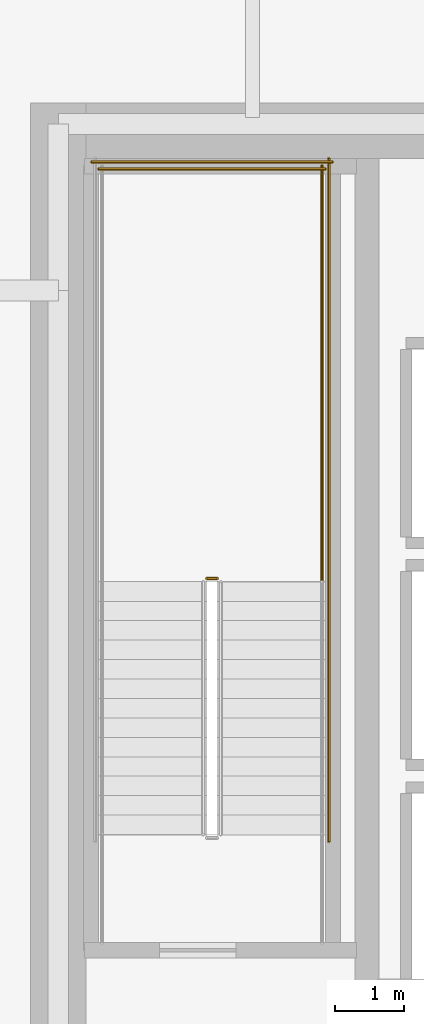
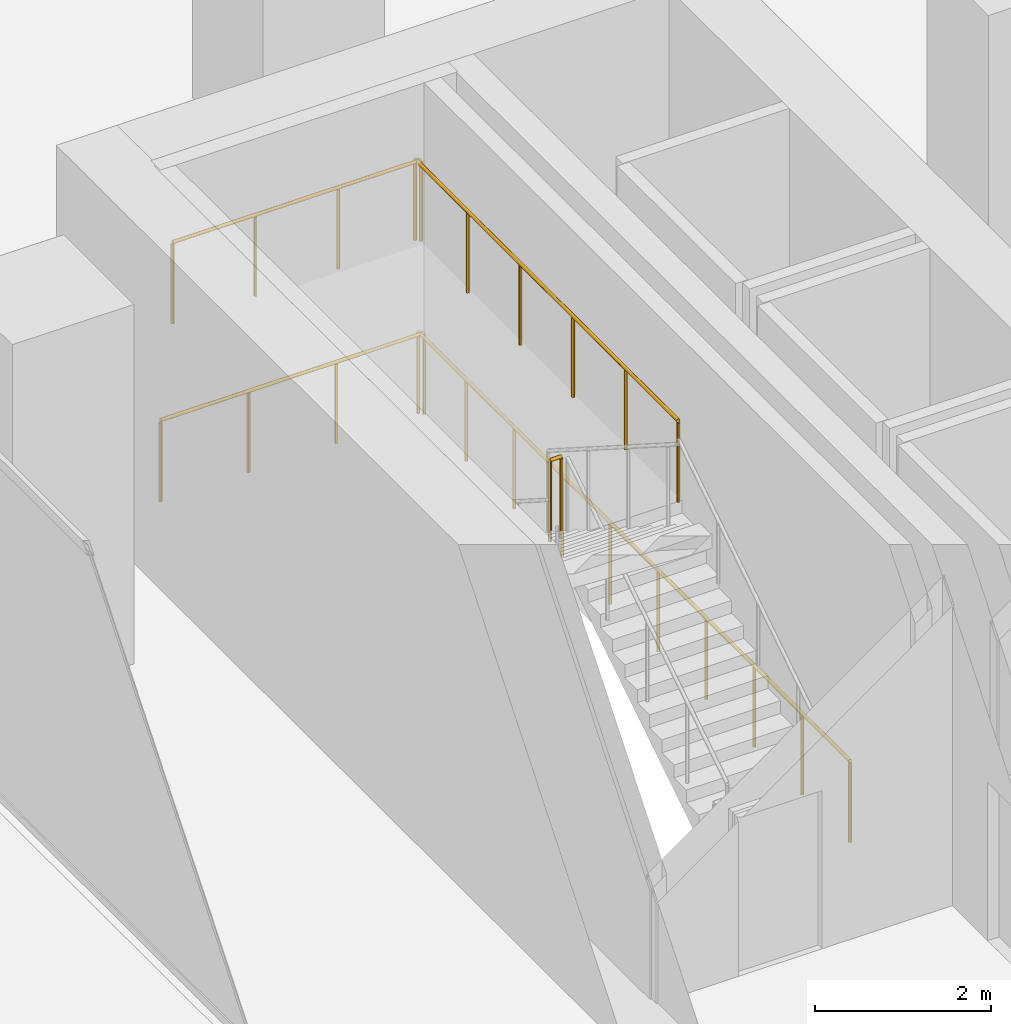
# One storey, part 20 of 21: 5 railings.
"""IFC4 building model written with IfcOpenShell, lengths in metres."""

from ifc_helpers import new_model, si_unit, direction, frame, origin, origin_2d, place, context, subcontext, project, spatial, circle, extrude, material, type_object, element, save


model = new_model("IFC4")

# Units and contexts
model_context = context("Model", 3, precision=1e-05, world=origin(), true_north=direction((0.0, 1.0)))
body_context = subcontext(model_context, "Body", "Model", "MODEL_VIEW")
ifc_project = project(units=[si_unit("LENGTHUNIT", "METRE"), si_unit("AREAUNIT", "SQUARE_METRE"), si_unit("VOLUMEUNIT", "CUBIC_METRE"), si_unit("PLANEANGLEUNIT", "RADIAN"), si_unit("MASSUNIT", "GRAM", prefix="KILO")], contexts=[model_context])

# Site, building, storey
site_placement = place(None, origin())
site = spatial("IfcSite", under=ifc_project, at=site_placement, CompositionType="ELEMENT")
building_placement = place(site_placement, origin())
building = spatial("IfcBuilding", under=site, at=building_placement, Name="Khairoan Windgate Tower", CompositionType="ELEMENT")
storey_placement = place(building_placement, frame((0.0, 0.0, 21.0)))
storey = spatial("IfcBuildingStorey", under=building, at=storey_placement, Name="L05", CompositionType="ELEMENT", Elevation=21.0)

# Railings
ifc_material = material(Name="Steel S355", Category="steel")
railing_type = type_object("IfcRailingType", Name="Stairwell Safety Guardrail SGR-1150", PredefinedType="GUARDRAIL", material=ifc_material)
railing_1_placement = place(storey_placement, frame((-17.7099609375, 6.64990234375, 2.5)))
element("IfcRailing", 1, at=railing_1_placement, inside=storey, type_object=railing_type, Name="L05 ST2 stair guard 2", PredefinedType="GUARDRAIL", context=body_context, shape_type="SweptSolid", body=[
    extrude(circle(Radius=0.02392578125, at=origin_2d()), frame((0.0, 0.0, 1.1259765625), z_axis=(-1.0, 0.0, 0.0), x_axis=(0.0, -1.0, 0.0)), (0.0, 0.0, 1.0), 0.150146484375),
    extrude(circle(Radius=0.02099609375, at=origin_2d()), origin(), (0.0, 0.0, 1.0), 1.101806640625),
    extrude(circle(Radius=0.02099609375, at=origin_2d()), frame((-0.150146484375, 0.0, 0.0)), (0.0, 0.0, 1.0), 1.101806640625),
])
railing_2_placement = place(storey_placement, frame((-16.199951171875, 6.60009765625, 2.5)))
element("IfcRailing", 2, at=railing_2_placement, inside=storey, type_object=railing_type, Name="L05 ST2 stair guard 3", PredefinedType="GUARDRAIL", context=body_context, shape_type="SweptSolid", body=[
    extrude(circle(Radius=0.02392578125, at=origin_2d()), frame((0.0, 0.0, 1.1259765625), z_axis=(0.0, 1.0, 0.0), x_axis=(-1.0, 0.0, 0.0)), (0.0, 0.0, 1.0), 6.0),
    extrude(circle(Radius=0.02099609375, at=origin_2d()), origin(), (0.0, 0.0, 1.0), 1.101806640625),
    extrude(circle(Radius=0.02099609375, at=origin_2d()), frame((0.0, 1.199951171875, 0.0)), (0.0, 0.0, 1.0), 1.101806640625),
    extrude(circle(Radius=0.02099609375, at=origin_2d()), frame((0.0, 2.39990234375, 0.0)), (0.0, 0.0, 1.0), 1.101806640625),
    extrude(circle(Radius=0.02099609375, at=origin_2d()), frame((0.0, 3.60009765625, 0.0)), (0.0, 0.0, 1.0), 1.101806640625),
    extrude(circle(Radius=0.02099609375, at=origin_2d()), frame((0.0, 4.800048828125, 0.0)), (0.0, 0.0, 1.0), 1.101806640625),
    extrude(circle(Radius=0.02099609375, at=origin_2d()), frame((0.0, 6.0, 0.0)), (0.0, 0.0, 1.0), 1.101806640625),
])
railing_3_placement = place(storey_placement, frame((-16.14990234375, 12.550048828125, 2.5)))
element("IfcRailing", 3, at=railing_3_placement, inside=storey, type_object=railing_type, Name="L05 ST2 stair guard 5", PredefinedType="GUARDRAIL", context=body_context, shape_type="SweptSolid", body=[
    extrude(circle(Radius=0.02392578125, at=origin_2d()), frame((0.0, 0.0, 1.1259765625), z_axis=(-1.0, 0.0, 0.0), x_axis=(0.0, -1.0, 0.0)), (0.0, 0.0, 1.0), 3.27001953125),
    extrude(circle(Radius=0.02099609375, at=origin_2d()), origin(), (0.0, 0.0, 1.0), 1.101806640625),
    extrude(circle(Radius=0.02099609375, at=origin_2d()), frame((-1.090087890625, 0.0, 0.0)), (0.0, 0.0, 1.0), 1.101806640625),
    extrude(circle(Radius=0.02099609375, at=origin_2d()), frame((-2.179931640625, 0.0, 0.0)), (0.0, 0.0, 1.0), 1.101806640625),
    extrude(circle(Radius=0.02099609375, at=origin_2d()), frame((-3.27001953125, 0.0, 0.0)), (0.0, 0.0, 1.0), 1.101806640625),
])
railing_4_placement = place(storey_placement, frame((-16.10009765625, 2.860107421875, 0.0)))
element("IfcRailing", 4, at=railing_4_placement, inside=storey, type_object=railing_type, Name="L05 ST2 stair guard 10", PredefinedType="GUARDRAIL", context=body_context, shape_type="SweptSolid", body=[
    extrude(circle(Radius=0.02392578125, at=origin_2d()), frame((0.0, 0.0, 1.1259765625), z_axis=(0.0, 1.0, 0.0), x_axis=(-1.0, 0.0, 0.0)), (0.0, 0.0, 1.0), 9.83984375),
    extrude(circle(Radius=0.02099609375, at=origin_2d()), origin(), (0.0, 0.0, 1.0), 1.101806640625),
    extrude(circle(Radius=0.02099609375, at=origin_2d()), frame((0.0, 1.09326171875, 0.0)), (0.0, 0.0, 1.0), 1.101806640625),
    extrude(circle(Radius=0.02099609375, at=origin_2d()), frame((0.0, 2.1865234375, 0.0)), (0.0, 0.0, 1.0), 1.101806640625),
    extrude(circle(Radius=0.02099609375, at=origin_2d()), frame((0.0, 3.280029296875, 0.0)), (0.0, 0.0, 1.0), 1.101806640625),
    extrude(circle(Radius=0.02099609375, at=origin_2d()), frame((0.0, 4.373291015625, 0.0)), (0.0, 0.0, 1.0), 1.101806640625),
    extrude(circle(Radius=0.02099609375, at=origin_2d()), frame((0.0, 5.466552734375, 0.0)), (0.0, 0.0, 1.0), 1.101806640625),
    extrude(circle(Radius=0.02099609375, at=origin_2d()), frame((0.0, 6.559814453125, 0.0)), (0.0, 0.0, 1.0), 1.101806640625),
    extrude(circle(Radius=0.02099609375, at=origin_2d()), frame((0.0, 7.6533203125, 0.0)), (0.0, 0.0, 1.0), 1.101806640625),
    extrude(circle(Radius=0.02099609375, at=origin_2d()), frame((0.0, 8.74658203125, 0.0)), (0.0, 0.0, 1.0), 1.101806640625),
    extrude(circle(Radius=0.02099609375, at=origin_2d()), frame((0.0, 9.83984375, 0.0)), (0.0, 0.0, 1.0), 1.101806640625),
])
railing_5_placement = place(storey_placement, frame((-16.050048828125, 12.64990234375, 0.0)))
element("IfcRailing", 5, at=railing_5_placement, inside=storey, type_object=railing_type, Name="L05 ST2 stair guard 12", PredefinedType="GUARDRAIL", context=body_context, shape_type="SweptSolid", body=[
    extrude(circle(Radius=0.02392578125, at=origin_2d()), frame((0.0, 0.0, 1.1259765625), z_axis=(-1.0, 0.0, 0.0), x_axis=(0.0, -1.0, 0.0)), (0.0, 0.0, 1.0), 3.469970703125),
    extrude(circle(Radius=0.02099609375, at=origin_2d()), origin(), (0.0, 0.0, 1.0), 1.101806640625),
    extrude(circle(Radius=0.02099609375, at=origin_2d()), frame((-1.15673828125, 0.0, 0.0)), (0.0, 0.0, 1.0), 1.101806640625),
    extrude(circle(Radius=0.02099609375, at=origin_2d()), frame((-2.313232421875, 0.0, 0.0)), (0.0, 0.0, 1.0), 1.101806640625),
    extrude(circle(Radius=0.02099609375, at=origin_2d()), frame((-3.469970703125, 0.0, 0.0)), (0.0, 0.0, 1.0), 1.101806640625),
])

save(model, "model.ifc")
